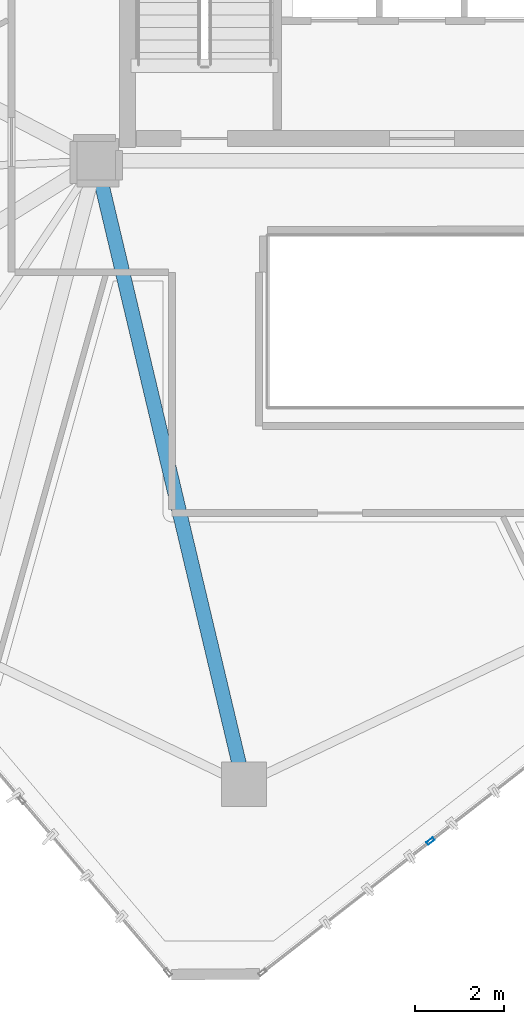
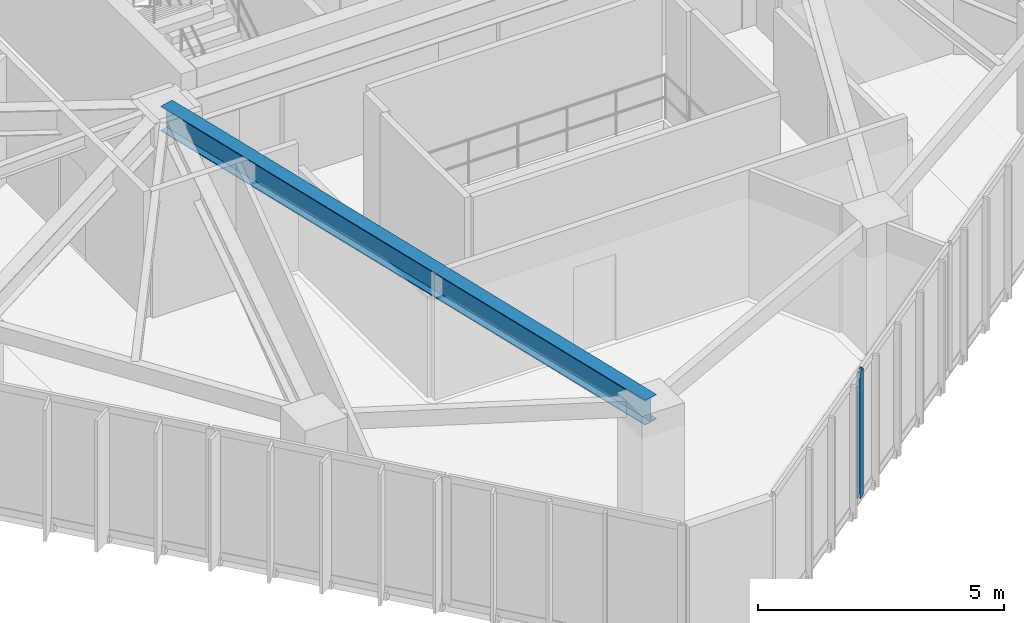
# One storey, part 5 of 21: 1 beam, 1 member, 1 element without a shape of its own.
"""IFC4 building model written with IfcOpenShell, lengths in metres."""

from ifc_helpers import new_model, si_unit, direction, frame, origin, origin_2d, place, context, subcontext, project, spatial, hollow_rectangle, i_section, extrude, source, transform, mapped, material, layer, layer_set, material_profile, profile_set, type_object, type_shapes, element, aggregate, save


model = new_model("IFC4")

# Units and contexts
model_context = context("Model", 3, precision=1e-05, world=origin(), true_north=direction((0.0, 1.0)))
body_context = subcontext(model_context, "Body", "Model", "MODEL_VIEW")
ifc_project = project(units=[si_unit("LENGTHUNIT", "METRE"), si_unit("AREAUNIT", "SQUARE_METRE"), si_unit("VOLUMEUNIT", "CUBIC_METRE"), si_unit("PLANEANGLEUNIT", "RADIAN"), si_unit("MASSUNIT", "GRAM", prefix="KILO")], contexts=[model_context])

# Site, building, storey
site_placement = place(None, origin())
site = spatial("IfcSite", under=ifc_project, at=site_placement, CompositionType="ELEMENT")
building_placement = place(site_placement, origin())
building = spatial("IfcBuilding", under=site, at=building_placement, Name="Talar Marvaseh", CompositionType="ELEMENT")
storey_placement = place(building_placement, frame((0.0, 0.0, 232.699951171875)))
storey = spatial("IfcBuildingStorey", under=building, at=storey_placement, Name="L61", CompositionType="ELEMENT", Elevation=232.699951171875)

# Beam
ifc_material_1 = material(Name="Steel S355", Category="steel")
ifc_material_profile_1 = material_profile(ifc_material_1, i_section(OverallWidth=0.324951171875, OverallDepth=0.615966796875, WebThickness=0.013916015625, FlangeThickness=0.021484375, at=origin_2d()), Name="W610x174")
ifc_profile_set_1 = profile_set([ifc_material_profile_1], Name="Steel S355")
beam_type = type_object("IfcBeamType", Name="Zone 3 Radial Floor Girder W610x174", PredefinedType="BEAM", material=ifc_profile_set_1)
beam_placement = place(storey_placement, frame((22.014892578125, 11.51904296875, 2.842041015625), z_axis=(-0.230707708791, 0.973023099985, 0.0), x_axis=(-0.973023099985, -0.230707708791, 0.0)))
element("IfcBeam", 1, at=beam_placement, inside=storey, type_object=beam_type, Name="L61 Zone 3 Radial Floor Girder W610x174", PredefinedType="BEAM", context=body_context, shape_type="SweptSolid", body=[
    extrude(i_section(OverallWidth=0.324951171875, OverallDepth=0.615966796875, WebThickness=0.013916015625, FlangeThickness=0.021484375, at=origin_2d()), origin(), (0.0, 0.0, 1.0), 14.36865234375),
])

# Curtain wall, member
ifc_material_2 = material(Name="Architectural Aluminium", Category="aluminium")
ifc_layer = layer(ifc_material_2, 0.18994140625)
ifc_layer_set = layer_set([ifc_layer], Name="Architectural Aluminium")
curtain_wall_type = type_object("IfcCurtainWallType", Name="Unitised Solar Atelier Curtain Wall Z3", PredefinedType="NOTDEFINED", material=ifc_layer_set)
curtain_wall_placement = place(storey_placement, origin())
curtain_wall = element("IfcCurtainWall", 2, at=curtain_wall_placement, inside=storey, type_object=curtain_wall_type, Name="L61 Unitised Solar Atelier Curtain Wall Z3", PredefinedType="NOTDEFINED")
ifc_material_profile_2 = material_profile(ifc_material_2, hollow_rectangle(XDim=0.074951171875, YDim=0.179931640625, WallThickness=0.0048828125, at=origin_2d()), Name="RHS180x75x5")
ifc_profile_set_2 = profile_set([ifc_material_profile_2], Name="Architectural Aluminium")
member_type = type_object("IfcMemberType", Name="Unitised Curtain Wall Standard Mullion RHS180x75x5", PredefinedType="MULLION", material=ifc_profile_set_2)
shared_shape = source(origin(), body_context, "Body", "SweptSolid", [
    extrude(hollow_rectangle(XDim=0.074951171875, YDim=0.179931640625, WallThickness=0.0048828125, at=origin_2d()), origin(), (0.0, 0.0, 1.0), 3.150146484375),
])
type_shapes(member_type, [shared_shape])
member_placement = place(storey_placement, frame((26.1982421875, 10.245361328125, 0.0), z_axis=(0.0, 0.0, 1.0), x_axis=(0.61578418046, -0.787914870462, 0.0)))
member = element("IfcMember", 3, at=member_placement, type_object=member_type, Name="CW-Z3 mullion 4", PredefinedType="MULLION", context=body_context, shape_type="MappedRepresentation", body=[
    mapped(shared_shape, transform((0.0, 0.0, 0.0), x_axis=(1.0, 0.0, 0.0), y_axis=(0.0, 1.0, 0.0), z_axis=(0.0, 0.0, 1.0), scale=1.0)),
])
aggregate(curtain_wall, [member])

save(model, "model.ifc")
